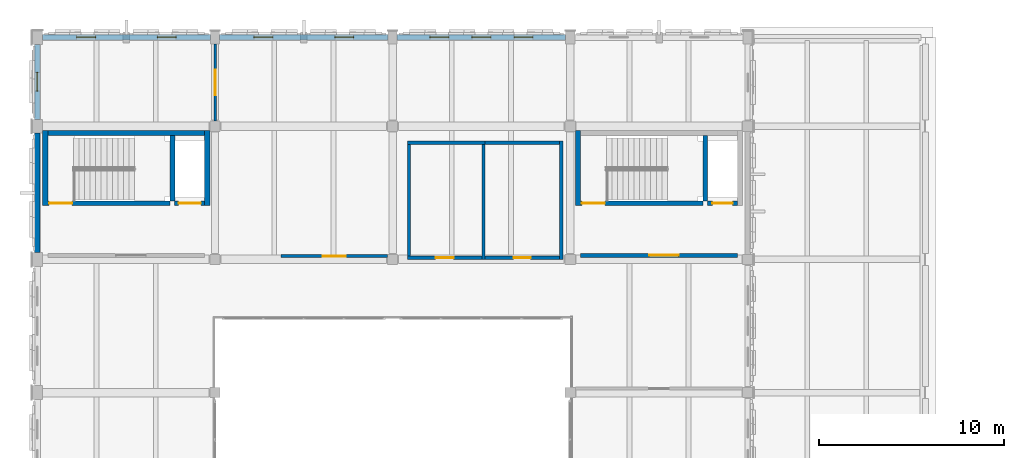
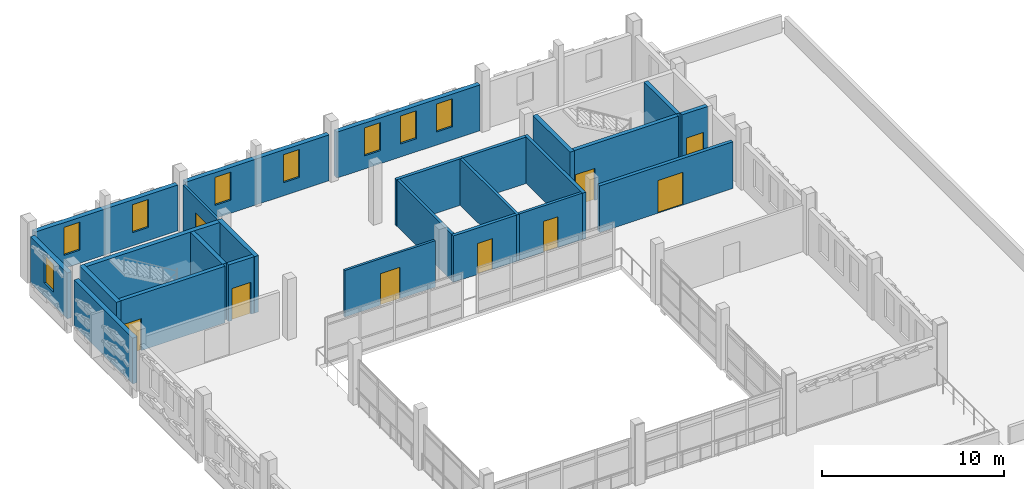
# One storey, part 38 of 50: 25 walls, 9 doors, 8 windows, 17 openings.
"""IFC4 building model written with IfcOpenShell, lengths in metres."""

import ifcopenshell
import ifcopenshell.guid

model = None  # the IFC model being written
_history = None  # IfcOwnerHistory: only IFC2X3 demands one
_inside = {}  # id of a spatial element -> (the spatial element, [elements in it])
_under = {}  # id of a project, library or spatial element -> (it, [spatial elements below it])
_declared = {}  # id of a project -> (the project, [libraries it declares])
_typed = {}  # id of a type object -> (the type object, [elements of that type])
_made_of = {}  # id of a material, layer set ... -> (it, [elements and type objects made of it])


def new_model(schema):
    """Start an empty IFC model of exactly this schema.

    Asked for "IFC4X3", IfcOpenShell would pick the latest addendum, in which some entities
    have other attributes; the version numbers below select the first issue.
    IFC2X3 requires an IfcOwnerHistory on every rooted entity: one is made here for all.
    """
    global model, _history
    if schema == "IFC4X3":
        model = ifcopenshell.file(schema_version=(4, 3, 0, 0))
    else:
        model = ifcopenshell.file(schema=schema)
    _inside.clear()
    _under.clear()
    _declared.clear()
    _typed.clear()
    _made_of.clear()
    _history = None
    if model.schema == "IFC2X3":
        org = make("IfcOrganization", Name="unknown")
        user = make(
            "IfcPersonAndOrganization",
            ThePerson=make("IfcPerson", FamilyName="unknown"),
            TheOrganization=org,
        )
        app = make(
            "IfcApplication",
            ApplicationDeveloper=org,
            Version="unknown",
            ApplicationFullName="unknown",
            ApplicationIdentifier="unknown",
        )
        _history = make(
            "IfcOwnerHistory",
            OwningUser=user,
            OwningApplication=app,
            ChangeAction="ADDED",
            CreationDate=0,
        )
    return model


def make(cls, **values):
    """One entity of the class cls with the attributes given. An attribute that is None is left unset."""
    return model.create_entity(
        cls, **{name: value for name, value in values.items() if value is not None}
    )


def rooted(cls, **values):
    """An entity with a GlobalId (a new one), such as an element, a storey or a relation."""
    return make(cls, GlobalId=ifcopenshell.guid.new(), OwnerHistory=_history, **values)


def si_unit(unit_type, name, prefix=None):
    """IfcSIUnit, for example si_unit("LENGTHUNIT", "METRE", prefix="MILLI")."""
    return make("IfcSIUnit", UnitType=unit_type, Prefix=prefix, Name=name)


def assignment(units):
    """IfcUnitAssignment: the units of a project."""
    return None if units is None else make("IfcUnitAssignment", Units=units)


def point(xyz):
    """IfcCartesianPoint."""
    return None if xyz is None else make("IfcCartesianPoint", Coordinates=xyz)


def direction(xyz):
    """IfcDirection."""
    return None if xyz is None else make("IfcDirection", DirectionRatios=xyz)


def frame(location, z_axis=None, x_axis=None):
    """IfcAxis2Placement3D, a coordinate frame: its origin and axes. An axis left out is left unset."""
    return make(
        "IfcAxis2Placement3D",
        Location=point(location),
        Axis=direction(z_axis),
        RefDirection=direction(x_axis),
    )


def frame_2d(location, x_axis=None):
    """IfcAxis2Placement2D, a coordinate frame in the plane: its origin and x axis."""
    return make(
        "IfcAxis2Placement2D", Location=point(location), RefDirection=direction(x_axis)
    )


def origin():
    """The frame at (0, 0, 0) with its axes left unset."""
    return frame((0.0, 0.0, 0.0))


def place(relative_to, where):
    """IfcLocalPlacement: puts the frame where relative to a parent placement (None: the world)."""
    return make(
        "IfcLocalPlacement", PlacementRelTo=relative_to, RelativePlacement=where
    )


def context(
    kind, dimensions, precision=None, world=None, true_north=None, identifier=None
):
    """IfcGeometricRepresentationContext, for example the 3D "Model" context."""
    return make(
        "IfcGeometricRepresentationContext",
        ContextIdentifier=identifier,
        ContextType=kind,
        CoordinateSpaceDimension=dimensions,
        Precision=precision,
        WorldCoordinateSystem=world,
        TrueNorth=true_north,
    )


def subcontext(parent, identifier, kind, view, scale=None):
    """IfcGeometricRepresentationSubContext, for example "Body" below "Model"."""
    return make(
        "IfcGeometricRepresentationSubContext",
        ContextIdentifier=identifier,
        ContextType=kind,
        ParentContext=parent,
        TargetScale=scale,
        TargetView=view,
    )


def project(units=None, contexts=None):
    """IfcProject with its units and contexts."""
    return rooted(
        "IfcProject",
        Name="project",
        RepresentationContexts=contexts,
        UnitsInContext=assignment(units),
    )


def spatial(cls, under=None, at=None, **own):
    """A site, building, storey or space (cls), placed at a placement, below another one or the project."""
    s = rooted(cls, ObjectPlacement=at, **own)
    if under is not None:
        _under.setdefault(under.id(), (under, []))[1].append(s)
    return s


def profile(cls, at=None, kind="AREA", **sizes):
    """A parametric profile (cls). Its sizes go by their IFC names, for example OverallWidth=200.0."""
    return make(cls, ProfileType=kind, Position=at, **sizes)


def rectangle(**sizes):
    """IfcRectangleProfileDef."""
    return profile("IfcRectangleProfileDef", **sizes)


def extrude(swept, where, along, depth):
    """IfcExtrudedAreaSolid: the profile swept, set in the frame where, extruded along a direction by depth."""
    return make(
        "IfcExtrudedAreaSolid",
        SweptArea=swept,
        Position=where,
        ExtrudedDirection=direction(along),
        Depth=depth,
    )


def shape(context_of_items, identifier, shape_type, items):
    """IfcShapeRepresentation: the items that make up one representation, for example the "Body"."""
    return make(
        "IfcShapeRepresentation",
        ContextOfItems=context_of_items,
        RepresentationIdentifier=identifier,
        RepresentationType=shape_type,
        Items=items,
    )


def material(Name=None, Category=None):
    """IfcMaterial."""
    return make("IfcMaterial", Name=Name, Category=Category)


def layer(
    of_material, thickness, ventilated=None, Name=None, Category=None, Priority=None
):
    """IfcMaterialLayer: one layer of a wall or slab, of a material (None: an air gap)."""
    return make(
        "IfcMaterialLayer",
        Material=of_material,
        LayerThickness=thickness,
        IsVentilated=ventilated,
        Name=Name,
        Category=Category,
        Priority=Priority,
    )


def layer_set(layers, Name=None):
    """IfcMaterialLayerSet."""
    return make("IfcMaterialLayerSet", MaterialLayers=layers, LayerSetName=Name)


def made_of(thing, what):
    """Note that an element or type object is made of a material, layer set ...; save() writes the relation."""
    if what is not None:
        _made_of.setdefault(what.id(), (what, []))[1].append(thing)
    return thing


def type_object(cls, material=None, **own):
    """A type object (cls), such as IfcWallType, which elements share."""
    return made_of(rooted(cls, **own), material)


def element(
    cls,
    number,
    at=None,
    inside=None,
    cuts=None,
    type_object=None,
    material=None,
    context=None,
    identifier="Body",
    shape_type=None,
    held_by="IfcProductDefinitionShape",
    body=None,
    shapes=None,
    **own,
):
    """One element of the class cls, such as IfcWall. Its Tag is "e" and its number.

    at: its placement. inside: the storey or other place that contains it. cuts: it is an
    opening in that element (IfcRelVoidsElement). A single representation is given by context,
    identifier, shape_type and body (its items); several are given by shapes. held_by: the class
    of the entity that holds the representations. save() writes the other relations.
    """
    e = rooted(cls, Tag="e%d" % number, ObjectPlacement=at, **own)
    if body is not None:
        shapes = [shape(context, identifier, shape_type, body)]
    if shapes is not None:
        e.Representation = make(held_by, Representations=shapes)
    if inside is not None:
        _inside.setdefault(inside.id(), (inside, []))[1].append(e)
    if cuts is not None:
        rooted(
            "IfcRelVoidsElement", RelatingBuildingElement=cuts, RelatedOpeningElement=e
        )
    if type_object is not None:
        _typed.setdefault(type_object.id(), (type_object, []))[1].append(e)
    return made_of(e, material)


def fill(opening, filler):
    """IfcRelFillsElement: the door or window that sits in an opening."""
    return rooted(
        "IfcRelFillsElement",
        RelatingOpeningElement=opening,
        RelatedBuildingElement=filler,
    )


def aggregate(whole, parts):
    """IfcRelAggregates: a whole, such as a stair, and the parts it consists of."""
    return rooted("IfcRelAggregates", RelatingObject=whole, RelatedObjects=parts)


def save(model, path):
    """Write the relations noted so far, then the file.

    IfcRelAggregates (storeys below a building ...), IfcRelContainedInSpatialStructure (elements
    in a storey), IfcRelDefinesByType, IfcRelAssociatesMaterial and IfcRelDeclares: one each for
    every whole, place, type object, material and project.
    """
    for whole, parts in _under.values():
        aggregate(whole, parts)
    for where, things in _inside.values():
        rooted(
            "IfcRelContainedInSpatialStructure",
            RelatedElements=things,
            RelatingStructure=where,
        )
    for kind, things in _typed.values():
        rooted("IfcRelDefinesByType", RelatedObjects=things, RelatingType=kind)
    for what, things in _made_of.values():
        rooted("IfcRelAssociatesMaterial", RelatedObjects=things, RelatingMaterial=what)
    for by, libraries in _declared.values():
        rooted("IfcRelDeclares", RelatingContext=by, RelatedDefinitions=libraries)
    model.write(path)


model = new_model("IFC4")

# Units and contexts
model_context = context("Model", 3, precision=1e-05, world=origin(), true_north=direction((0.0, 1.0)))
body_context = subcontext(model_context, "Body", "Model", "MODEL_VIEW")
ifc_project = project(units=[si_unit("LENGTHUNIT", "METRE"), si_unit("AREAUNIT", "SQUARE_METRE"), si_unit("VOLUMEUNIT", "CUBIC_METRE"), si_unit("PLANEANGLEUNIT", "RADIAN"), si_unit("MASSUNIT", "GRAM", prefix="KILO")], contexts=[model_context])

# Site, building, storey
site_placement = place(None, origin())
site = spatial("IfcSite", under=ifc_project, at=site_placement, CompositionType="ELEMENT")
building_placement = place(site_placement, origin())
building = spatial("IfcBuilding", under=site, at=building_placement, Name="Asteropetra Specialist Clinic", CompositionType="ELEMENT")
storey_placement = place(building_placement, frame((0.0, 0.0, 16.659912109375)))
storey = spatial("IfcBuildingStorey", under=building, at=storey_placement, Name="L04", CompositionType="ELEMENT", Elevation=16.659912109375)

# Wall, openings, windows
ifc_material_1 = material(Name="Chevron ivory", Category="masonry")
ifc_layer_1 = layer(ifc_material_1, 0.2900390625)
ifc_layer_set_1 = layer_set([ifc_layer_1], Name="Chevron ivory")
wall_type_1 = type_object("IfcWallType", Name="EW-CHEV-TER-290", PredefinedType="SOLIDWALL", material=ifc_layer_set_1)
wall_1_placement = place(storey_placement, frame((9.35009765625, 110.39990234375, 0.0), z_axis=(0.0, 0.0, 1.0), x_axis=(-1.0, 0.0, 0.0)))
wall_1 = element("IfcWall", 1, at=wall_1_placement, inside=storey, type_object=wall_type_1, Name="Exterior Wall EW-0128", PredefinedType="SOLIDWALL", context=body_context, shape_type="SweptSolid", body=[
    extrude(rectangle(XDim=9.0751953125, YDim=0.2900390625, at=frame_2d((4.53759765625, 0.0))), origin(), (0.0, 0.0, 1.0), 3.080078125),
])
opening_1_placement = place(wall_1_placement, frame((1.849609375, 0.0, 0.8798828125)))
opening_1 = element("IfcOpeningElement", 2, at=opening_1_placement, cuts=wall_1, Name="Opening W-0058", PredefinedType="OPENING", context=body_context, shape_type="SweptSolid", body=[
    extrude(rectangle(XDim=1.02001953125, YDim=1.8798828125, at=frame_2d((0.510009765625, 0.93994140625))), frame((0.0, 0.155029296875, 0.0), z_axis=(0.0, -1.0, 0.0), x_axis=(1.0, 0.0, 0.0)), (0.0, 0.0, 1.0), 0.31005859375),
])
opening_2_placement = place(wall_1_placement, frame((6.20556640625, 0.0, 0.8798828125)))
opening_2 = element("IfcOpeningElement", 3, at=opening_2_placement, cuts=wall_1, Name="Opening W-0059", PredefinedType="OPENING", context=body_context, shape_type="SweptSolid", body=[
    extrude(rectangle(XDim=1.02001953125, YDim=1.8798828125, at=frame_2d((0.510009765625, 0.93994140625))), frame((0.0, 0.155029296875, 0.0), z_axis=(0.0, -1.0, 0.0), x_axis=(1.0, 0.0, 0.0)), (0.0, 0.0, 1.0), 0.31005859375),
])
ifc_material_2 = material(Name="Thermally broken bronze aluminium and low-E glass", Category="aluminium")
window_type = type_object("IfcWindowType", Name="WIN-T31", PartitioningType="SINGLE_PANEL", PredefinedType="WINDOW", material=ifc_material_2)
window_1_placement = place(opening_1_placement, origin())
window_1 = element("IfcWindow", 4, at=window_1_placement, inside=storey, type_object=window_type, Name="Window W-0058", OverallHeight=1.8798828125, OverallWidth=1.02001953125, PartitioningType="SINGLE_PANEL", PredefinedType="WINDOW", context=body_context, shape_type="SweptSolid", body=[
    extrude(rectangle(XDim=1.02001953125, YDim=1.8798828125, at=frame_2d((0.510009765625, 0.93994140625))), frame((0.0, 0.030029296875, 0.0), z_axis=(0.0, -1.0, 0.0), x_axis=(1.0, 0.0, 0.0)), (0.0, 0.0, 1.0), 0.06005859375),
])
fill(opening_1, window_1)
window_2_placement = place(opening_2_placement, origin())
window_2 = element("IfcWindow", 5, at=window_2_placement, inside=storey, type_object=window_type, Name="Window W-0059", OverallHeight=1.8798828125, OverallWidth=1.02001953125, PartitioningType="SINGLE_PANEL", PredefinedType="WINDOW", context=body_context, shape_type="SweptSolid", body=[
    extrude(rectangle(XDim=1.02001953125, YDim=1.8798828125, at=frame_2d((0.510009765625, 0.93994140625))), frame((0.0, 0.030029296875, 0.0), z_axis=(0.0, -1.0, 0.0), x_axis=(1.0, 0.0, 0.0)), (0.0, 0.0, 1.0), 0.06005859375),
])
fill(opening_2, window_2)

wall_2_placement = place(storey_placement, frame((18.949951171875, 110.39990234375, 0.0), z_axis=(0.0, 0.0, 1.0), x_axis=(-1.0, 0.0, 0.0)))
wall_2 = element("IfcWall", 6, at=wall_2_placement, inside=storey, type_object=wall_type_1, Name="Exterior Wall EW-0129", PredefinedType="SOLIDWALL", context=body_context, shape_type="SweptSolid", body=[
    extrude(rectangle(XDim=9.099853515625, YDim=0.2900390625, at=frame_2d((4.5498046875, 0.0))), origin(), (0.0, 0.0, 1.0), 3.080078125),
])
opening_3_placement = place(wall_2_placement, frame((1.85595703125, 0.0, 0.8798828125)))
opening_3 = element("IfcOpeningElement", 7, at=opening_3_placement, cuts=wall_2, Name="Opening W-0060", PredefinedType="OPENING", context=body_context, shape_type="SweptSolid", body=[
    extrude(rectangle(XDim=1.02001953125, YDim=1.8798828125, at=frame_2d((0.510009765625, 0.93994140625))), frame((0.0, 0.155029296875, 0.0), z_axis=(0.0, -1.0, 0.0), x_axis=(1.0, 0.0, 0.0)), (0.0, 0.0, 1.0), 0.31005859375),
])
opening_4_placement = place(wall_2_placement, frame((6.22412109375, 0.0, 0.8798828125)))
opening_4 = element("IfcOpeningElement", 8, at=opening_4_placement, cuts=wall_2, Name="Opening W-0061", PredefinedType="OPENING", context=body_context, shape_type="SweptSolid", body=[
    extrude(rectangle(XDim=1.02001953125, YDim=1.8798828125, at=frame_2d((0.510009765625, 0.93994140625))), frame((0.0, 0.155029296875, 0.0), z_axis=(0.0, -1.0, 0.0), x_axis=(1.0, 0.0, 0.0)), (0.0, 0.0, 1.0), 0.31005859375),
])
window_3_placement = place(opening_3_placement, origin())
window_3 = element("IfcWindow", 9, at=window_3_placement, inside=storey, type_object=window_type, Name="Window W-0060", OverallHeight=1.8798828125, OverallWidth=1.02001953125, PartitioningType="SINGLE_PANEL", PredefinedType="WINDOW", context=body_context, shape_type="SweptSolid", body=[
    extrude(rectangle(XDim=1.02001953125, YDim=1.8798828125, at=frame_2d((0.510009765625, 0.93994140625))), frame((0.0, 0.030029296875, 0.0), z_axis=(0.0, -1.0, 0.0), x_axis=(1.0, 0.0, 0.0)), (0.0, 0.0, 1.0), 0.06005859375),
])
fill(opening_3, window_3)
window_4_placement = place(opening_4_placement, origin())
window_4 = element("IfcWindow", 10, at=window_4_placement, inside=storey, type_object=window_type, Name="Window W-0061", OverallHeight=1.8798828125, OverallWidth=1.02001953125, PartitioningType="SINGLE_PANEL", PredefinedType="WINDOW", context=body_context, shape_type="SweptSolid", body=[
    extrude(rectangle(XDim=1.02001953125, YDim=1.8798828125, at=frame_2d((0.510009765625, 0.93994140625))), frame((0.0, 0.030029296875, 0.0), z_axis=(0.0, -1.0, 0.0), x_axis=(1.0, 0.0, 0.0)), (0.0, 0.0, 1.0), 0.06005859375),
])
fill(opening_4, window_4)

wall_3_placement = place(storey_placement, frame((28.550048828125, 110.39990234375, 0.0), z_axis=(0.0, 0.0, 1.0), x_axis=(-1.0, 0.0, 0.0)))
wall_3 = element("IfcWall", 11, at=wall_3_placement, inside=storey, type_object=wall_type_1, Name="Exterior Wall EW-0130", PredefinedType="SOLIDWALL", context=body_context, shape_type="SweptSolid", body=[
    extrude(rectangle(XDim=9.10009765625, YDim=0.2900390625, at=frame_2d((4.550048828125, 0.0))), origin(), (0.0, 0.0, 1.0), 3.080078125),
])
opening_5_placement = place(wall_3_placement, frame((1.764892578125, 0.0, 0.8798828125)))
opening_5 = element("IfcOpeningElement", 12, at=opening_5_placement, cuts=wall_3, Name="Opening W-0062", PredefinedType="OPENING", context=body_context, shape_type="SweptSolid", body=[
    extrude(rectangle(XDim=1.02001953125, YDim=1.8798828125, at=frame_2d((0.510009765625, 0.93994140625))), frame((0.0, 0.155029296875, 0.0), z_axis=(0.0, -1.0, 0.0), x_axis=(1.0, 0.0, 0.0)), (0.0, 0.0, 1.0), 0.31005859375),
])
opening_6_placement = place(wall_3_placement, frame((4.0400390625, 0.0, 0.8798828125)))
opening_6 = element("IfcOpeningElement", 13, at=opening_6_placement, cuts=wall_3, Name="Opening W-0063", PredefinedType="OPENING", context=body_context, shape_type="SweptSolid", body=[
    extrude(rectangle(XDim=1.02001953125, YDim=1.8798828125, at=frame_2d((0.510009765625, 0.93994140625))), frame((0.0, 0.155029296875, 0.0), z_axis=(0.0, -1.0, 0.0), x_axis=(1.0, 0.0, 0.0)), (0.0, 0.0, 1.0), 0.31005859375),
])
opening_7_placement = place(wall_3_placement, frame((6.31494140625, 0.0, 0.8798828125)))
opening_7 = element("IfcOpeningElement", 14, at=opening_7_placement, cuts=wall_3, Name="Opening W-0064", PredefinedType="OPENING", context=body_context, shape_type="SweptSolid", body=[
    extrude(rectangle(XDim=1.02001953125, YDim=1.8798828125, at=frame_2d((0.510009765625, 0.93994140625))), frame((0.0, 0.155029296875, 0.0), z_axis=(0.0, -1.0, 0.0), x_axis=(1.0, 0.0, 0.0)), (0.0, 0.0, 1.0), 0.31005859375),
])
window_5_placement = place(opening_5_placement, origin())
window_5 = element("IfcWindow", 15, at=window_5_placement, inside=storey, type_object=window_type, Name="Window W-0062", OverallHeight=1.8798828125, OverallWidth=1.02001953125, PartitioningType="SINGLE_PANEL", PredefinedType="WINDOW", context=body_context, shape_type="SweptSolid", body=[
    extrude(rectangle(XDim=1.02001953125, YDim=1.8798828125, at=frame_2d((0.510009765625, 0.93994140625))), frame((0.0, 0.030029296875, 0.0), z_axis=(0.0, -1.0, 0.0), x_axis=(1.0, 0.0, 0.0)), (0.0, 0.0, 1.0), 0.06005859375),
])
fill(opening_5, window_5)
window_6_placement = place(opening_6_placement, origin())
window_6 = element("IfcWindow", 16, at=window_6_placement, inside=storey, type_object=window_type, Name="Window W-0063", OverallHeight=1.8798828125, OverallWidth=1.02001953125, PartitioningType="SINGLE_PANEL", PredefinedType="WINDOW", context=body_context, shape_type="SweptSolid", body=[
    extrude(rectangle(XDim=1.02001953125, YDim=1.8798828125, at=frame_2d((0.510009765625, 0.93994140625))), frame((0.0, 0.030029296875, 0.0), z_axis=(0.0, -1.0, 0.0), x_axis=(1.0, 0.0, 0.0)), (0.0, 0.0, 1.0), 0.06005859375),
])
fill(opening_6, window_6)
window_7_placement = place(opening_7_placement, origin())
window_7 = element("IfcWindow", 17, at=window_7_placement, inside=storey, type_object=window_type, Name="Window W-0064", OverallHeight=1.8798828125, OverallWidth=1.02001953125, PartitioningType="SINGLE_PANEL", PredefinedType="WINDOW", context=body_context, shape_type="SweptSolid", body=[
    extrude(rectangle(XDim=1.02001953125, YDim=1.8798828125, at=frame_2d((0.510009765625, 0.93994140625))), frame((0.0, 0.030029296875, 0.0), z_axis=(0.0, -1.0, 0.0), x_axis=(1.0, 0.0, 0.0)), (0.0, 0.0, 1.0), 0.06005859375),
])
fill(opening_7, window_7)

# Wall
wall_4_placement = place(storey_placement, frame((0.0, 105.22509765625, 0.0), z_axis=(0.0, 0.0, 1.0), x_axis=(0.0, -1.0, 0.0)))
element("IfcWall", 18, at=wall_4_placement, inside=storey, type_object=wall_type_1, Name="Exterior Wall EW-0139", PredefinedType="SOLIDWALL", context=body_context, shape_type="SweptSolid", body=[
    extrude(rectangle(XDim=6.4501953125, YDim=0.2900390625, at=frame_2d((3.22509765625, 0.0))), origin(), (0.0, 0.0, 1.0), 3.080078125),
])

# Wall, opening, window
wall_5_placement = place(storey_placement, frame((0.0, 110.02490234375, 0.0), z_axis=(0.0, 0.0, 1.0), x_axis=(0.0, -1.0, 0.0)))
wall_5 = element("IfcWall", 19, at=wall_5_placement, inside=storey, type_object=wall_type_1, Name="Exterior Wall EW-0141", PredefinedType="SOLIDWALL", context=body_context, shape_type="SweptSolid", body=[
    extrude(rectangle(XDim=4.0498046875, YDim=0.2900390625, at=frame_2d((2.02490234375, 0.0))), origin(), (0.0, 0.0, 1.0), 3.080078125),
])
opening_8_placement = place(wall_5_placement, frame((1.514892578125, 0.0, 0.8798828125)))
opening_8 = element("IfcOpeningElement", 20, at=opening_8_placement, cuts=wall_5, Name="Opening W-0085", PredefinedType="OPENING", context=body_context, shape_type="SweptSolid", body=[
    extrude(rectangle(XDim=1.02001953125, YDim=1.8798828125, at=frame_2d((0.510009765625, 0.93994140625))), frame((0.0, 0.155029296875, 0.0), z_axis=(0.0, -1.0, 0.0), x_axis=(1.0, 0.0, 0.0)), (0.0, 0.0, 1.0), 0.31005859375),
])
window_8_placement = place(opening_8_placement, origin())
window_8 = element("IfcWindow", 21, at=window_8_placement, inside=storey, type_object=window_type, Name="Window W-0085", OverallHeight=1.8798828125, OverallWidth=1.02001953125, PartitioningType="SINGLE_PANEL", PredefinedType="WINDOW", context=body_context, shape_type="SweptSolid", body=[
    extrude(rectangle(XDim=1.02001953125, YDim=1.8798828125, at=frame_2d((0.510009765625, 0.93994140625))), frame((0.0, 0.030029296875, 0.0), z_axis=(0.0, -1.0, 0.0), x_axis=(1.0, 0.0, 0.0)), (0.0, 0.0, 1.0), 0.06005859375),
])
fill(opening_8, window_8)

# Wall, opening, door
ifc_material_3 = material(Name="Fire-rated masonry and gypsum", Category="masonry")
ifc_layer_2 = layer(ifc_material_3, 0.219970703125)
ifc_layer_set_2 = layer_set([ifc_layer_2], Name="Fire-rated masonry and gypsum")
wall_type_2 = type_object("IfcWallType", Name="W-COMP-220", PredefinedType="PARTITIONING", material=ifc_layer_set_2)
wall_6_placement = place(storey_placement, frame((29.360107421875, 98.6201171875, 0.0), z_axis=(0.0, 0.0, 1.0), x_axis=(1.0, 0.0, 0.0)))
wall_6 = element("IfcWall", 22, at=wall_6_placement, inside=storey, type_object=wall_type_2, Name="Core Wall CW-C2-L04-LOB", PredefinedType="PARTITIONING", context=body_context, shape_type="SweptSolid", body=[
    extrude(rectangle(XDim=8.47998046875, YDim=0.219970703125, at=frame_2d((4.239990234375, 0.0))), origin(), (0.0, 0.0, 1.0), 3.130126953125),
])
opening_9_placement = place(wall_6_placement, frame((3.699951171875, 0.0, 0.0)))
opening_9 = element("IfcOpeningElement", 23, at=opening_9_placement, cuts=wall_6, Name="Opening FD-022", PredefinedType="OPENING", context=body_context, shape_type="SweptSolid", body=[
    extrude(rectangle(XDim=1.60009765625, YDim=2.199951171875, at=frame_2d((0.800048828125, 1.10009765625))), frame((0.0, 0.119873046875, 0.0), z_axis=(0.0, -1.0, 0.0), x_axis=(1.0, 0.0, 0.0)), (0.0, 0.0, 1.0), 0.239990234375),
])
ifc_material_4 = material(Name="Fire-rated steel and vision glass door", Category="steel")
door_type_1 = type_object("IfcDoorType", Name="FD-LOBBY-1600", OperationType="DOUBLE_DOOR_SINGLE_SWING", PredefinedType="DOOR", material=ifc_material_4)
door_1_placement = place(opening_9_placement, origin())
door_1 = element("IfcDoor", 24, at=door_1_placement, inside=storey, type_object=door_type_1, Name="Lobby Fire Door FD-022", OperationType="DOUBLE_DOOR_SINGLE_SWING", OverallHeight=2.199951171875, OverallWidth=1.60009765625, PredefinedType="DOOR", context=body_context, shape_type="SweptSolid", body=[
    extrude(rectangle(XDim=1.60009765625, YDim=2.199951171875, at=frame_2d((0.800048828125, 1.10009765625))), frame((0.0, 0.02490234375, 0.0), z_axis=(0.0, -1.0, 0.0), x_axis=(1.0, 0.0, 0.0)), (0.0, 0.0, 1.0), 0.050048828125),
])
fill(opening_9, door_1)

# Walls
ifc_material_5 = material(Name="Concrete C35/45", Category="concrete")
ifc_layer_3 = layer(ifc_material_5, 0.280029296875)
ifc_layer_set_3 = layer_set([ifc_layer_3], Name="Concrete C35/45")
wall_type_3 = type_object("IfcWallType", Name="W-CORE-280", PredefinedType="SHEAR", material=ifc_layer_set_3)
for number, where, z_axis, x_axis, name in (
    (25, (0.419921875, 101.300048828125, 0.0), (0.0, 0.0, 1.0), (0.0, 1.0, 0.0), "Core Wall CW-C1-L04-W"),
    (26, (9.179931640625, 101.300048828125, 0.0), (0.0, 0.0, 1.0), (0.0, 1.0, 0.0), "Core Wall CW-C1-L04-E"),
):
    element("IfcWall", number, at=place(storey_placement, frame(where, z_axis=z_axis, x_axis=x_axis)), inside=storey, type_object=wall_type_3, Name=name, PredefinedType="SHEAR", context=body_context, shape_type="SweptSolid", body=[
        extrude(rectangle(XDim=4.079833984375, YDim=0.280029296875, at=frame_2d((2.0400390625, 0.0))), origin(), (0.0, 0.0, 1.0), 3.800048828125),
    ])
wall_7_placement = place(storey_placement, frame((0.554931640625, 105.239990234375, 0.0), z_axis=(0.0, 0.0, 1.0), x_axis=(1.0, 0.0, 0.0)))
element("IfcWall", 27, at=wall_7_placement, inside=storey, type_object=wall_type_3, Name="Core Wall CW-C1-L04-BACK", PredefinedType="SHEAR", context=body_context, shape_type="SweptSolid", body=[
    extrude(rectangle(XDim=8.489990234375, YDim=0.280029296875, at=frame_2d((4.2451171875, 0.0))), origin(), (0.0, 0.0, 1.0), 3.800048828125),
])
wall_8_placement = place(storey_placement, frame((29.219970703125, 101.300048828125, 0.0), z_axis=(0.0, 0.0, 1.0), x_axis=(0.0, 1.0, 0.0)))
element("IfcWall", 28, at=wall_8_placement, inside=storey, type_object=wall_type_3, Name="Core Wall CW-C2-L04-W", PredefinedType="SHEAR", context=body_context, shape_type="SweptSolid", body=[
    extrude(rectangle(XDim=4.079833984375, YDim=0.280029296875, at=frame_2d((2.0400390625, 0.0))), origin(), (0.0, 0.0, 1.0), 3.800048828125),
])

# Wall, opening, door
ifc_material_6 = material(Name="Laboratory partition", Category="masonry")
ifc_layer_4 = layer(ifc_material_6, 0.139892578125)
ifc_layer_set_4 = layer_set([ifc_layer_4], Name="Laboratory partition")
wall_type_4 = type_object("IfcWallType", Name="W-PART-140", PredefinedType="PARTITIONING", material=ifc_layer_set_4)
wall_9_placement = place(storey_placement, frame((9.6201171875, 105.8798828125, 0.0), z_axis=(0.0, 0.0, 1.0), x_axis=(0.0, 1.0, 0.0)))
wall_9 = element("IfcWall", 29, at=wall_9_placement, inside=storey, type_object=wall_type_4, Name="Interior Partition PW-0172", PredefinedType="PARTITIONING", context=body_context, shape_type="SweptSolid", body=[
    extrude(rectangle(XDim=4.1650390625, YDim=0.139892578125, at=frame_2d((2.08251953125, 0.0))), origin(), (0.0, 0.0, 1.0), 3.1201171875),
])
opening_10_placement = place(wall_9_placement, frame((1.382568359375, 0.0, 0.0)))
opening_10 = element("IfcOpeningElement", 30, at=opening_10_placement, cuts=wall_9, Name="Opening ID-0112", PredefinedType="OPENING", context=body_context, shape_type="SweptSolid", body=[
    extrude(rectangle(XDim=1.39990234375, YDim=2.1201171875, at=frame_2d((0.699951171875, 1.06005859375))), frame((0.0, 0.079833984375, 0.0), z_axis=(0.0, -1.0, 0.0), x_axis=(1.0, 0.0, 0.0)), (0.0, 0.0, 1.0), 0.159912109375),
])
ifc_material_7 = material(Name="Antimicrobial laminate timber leaf in steel frame", Category="steel")
door_type_2 = type_object("IfcDoorType", Name="ID-WARD-1400", OperationType="NOTDEFINED", PredefinedType="DOOR", material=ifc_material_7)
door_2_placement = place(opening_10_placement, origin())
door_2 = element("IfcDoor", 31, at=door_2_placement, inside=storey, type_object=door_type_2, Name="Interior Door ID-0112", OperationType="SINGLE_SWING_LEFT", OverallHeight=2.1201171875, OverallWidth=1.39990234375, PredefinedType="DOOR", context=body_context, shape_type="SweptSolid", body=[
    extrude(rectangle(XDim=1.39990234375, YDim=2.1201171875, at=frame_2d((0.699951171875, 1.06005859375))), frame((0.0, 0.02490234375, 0.0), z_axis=(0.0, -1.0, 0.0), x_axis=(1.0, 0.0, 0.0)), (0.0, 0.0, 1.0), 0.050048828125),
])
fill(opening_10, door_2)

ifc_material_8 = material(Name="Clinical consulting partition", Category="masonry")
ifc_layer_5 = layer(ifc_material_8, 0.14990234375)
ifc_layer_set_5 = layer_set([ifc_layer_5], Name="Clinical consulting partition")
wall_type_5 = type_object("IfcWallType", Name="W-PART-150", PredefinedType="PARTITIONING", material=ifc_layer_set_5)
wall_10_placement = place(storey_placement, frame((13.179931640625, 98.580078125, 0.0), z_axis=(0.0, 0.0, 1.0), x_axis=(1.0, 0.0, 0.0)))
wall_10 = element("IfcWall", 32, at=wall_10_placement, inside=storey, type_object=wall_type_5, Name="Interior Partition PW-0171", PredefinedType="PARTITIONING", context=body_context, shape_type="SweptSolid", body=[
    extrude(rectangle(XDim=5.739990234375, YDim=0.14990234375, at=frame_2d((2.8701171875, 0.0))), origin(), (0.0, 0.0, 1.0), 3.1201171875),
])
opening_11_placement = place(wall_10_placement, frame((2.2451171875, 0.0, 0.0)))
opening_11 = element("IfcOpeningElement", 33, at=opening_11_placement, cuts=wall_10, Name="Opening ID-0111", PredefinedType="OPENING", context=body_context, shape_type="SweptSolid", body=[
    extrude(rectangle(XDim=1.25, YDim=2.1201171875, at=frame_2d((0.625, 1.06005859375))), frame((0.0, 0.0849609375, 0.0), z_axis=(0.0, -1.0, 0.0), x_axis=(1.0, 0.0, 0.0)), (0.0, 0.0, 1.0), 0.169921875),
])
ifc_material_9 = material(Name="Antimicrobial laminate timber leaf in steel frame", Category="steel")
door_type_3 = type_object("IfcDoorType", Name="ID-SEMIN-1250", OperationType="NOTDEFINED", PredefinedType="DOOR", material=ifc_material_9)
door_3_placement = place(opening_11_placement, origin())
door_3 = element("IfcDoor", 34, at=door_3_placement, inside=storey, type_object=door_type_3, Name="Interior Door ID-0111", OperationType="SINGLE_SWING_RIGHT", OverallHeight=2.1201171875, OverallWidth=1.25, PredefinedType="DOOR", context=body_context, shape_type="SweptSolid", body=[
    extrude(rectangle(XDim=1.25, YDim=2.1201171875, at=frame_2d((0.625, 1.06005859375))), frame((0.0, 0.02490234375, 0.0), z_axis=(0.0, -1.0, 0.0), x_axis=(1.0, 0.0, 0.0)), (0.0, 0.0, 1.0), 0.050048828125),
])
fill(opening_11, door_3)

# Walls
ifc_material_10 = material(Name="En-suite plumbing wall", Category="masonry")
ifc_layer_6 = layer(ifc_material_10, 0.169921875)
ifc_layer_set_6 = layer_set([ifc_layer_6], Name="En-suite plumbing wall")
wall_type_6 = type_object("IfcWallType", Name="W-PLUMB-170", PredefinedType="PLUMBINGWALL", material=ifc_layer_set_6)
wall_11_placement = place(storey_placement, frame((24.110107421875, 98.39501953125, 0.0), z_axis=(0.0, 0.0, 1.0), x_axis=(0.0, 1.0, 0.0)))
element("IfcWall", 35, at=wall_11_placement, inside=storey, type_object=wall_type_6, Name="Interior Partition PW-0159", PredefinedType="PLUMBINGWALL", context=body_context, shape_type="SweptSolid", body=[
    extrude(rectangle(XDim=6.409912109375, YDim=0.169921875, at=frame_2d((3.205078125, 0.0))), origin(), (0.0, 0.0, 1.0), 3.1201171875),
])
wall_12_placement = place(storey_placement, frame((20.090087890625, 98.592041015625, 0.0), z_axis=(0.0, 0.0, 1.0), x_axis=(0.0, 1.0, 0.0)))
element("IfcWall", 36, at=wall_12_placement, inside=storey, type_object=wall_type_6, Name="Interior Partition PW-0161", PredefinedType="PLUMBINGWALL", context=body_context, shape_type="SweptSolid", body=[
    extrude(rectangle(XDim=6.015869140625, YDim=0.169921875, at=frame_2d((3.0078125, 0.0))), origin(), (0.0, 0.0, 1.0), 3.1201171875),
])

# Wall, opening, door
wall_13_placement = place(storey_placement, frame((24.197021484375, 98.489990234375, 0.0), z_axis=(0.0, 0.0, 1.0), x_axis=(1.0, 0.0, 0.0)))
wall_13 = element("IfcWall", 37, at=wall_13_placement, inside=storey, type_object=wall_type_6, Name="Interior Partition PW-0163", PredefinedType="PLUMBINGWALL", context=body_context, shape_type="SweptSolid", body=[
    extrude(rectangle(XDim=4.010986328125, YDim=0.169921875, at=frame_2d((2.00537109375, 0.0))), origin(), (0.0, 0.0, 1.0), 3.1201171875),
])
opening_12_placement = place(wall_13_placement, frame((1.54541015625, 0.0, 0.0)))
opening_12 = element("IfcOpeningElement", 38, at=opening_12_placement, cuts=wall_13, Name="Opening ID-0107", PredefinedType="OPENING", context=body_context, shape_type="SweptSolid", body=[
    extrude(rectangle(XDim=0.919921875, YDim=2.080078125, at=frame_2d((0.4599609375, 1.0400390625))), frame((0.0, 0.094970703125, 0.0), z_axis=(0.0, -1.0, 0.0), x_axis=(1.0, 0.0, 0.0)), (0.0, 0.0, 1.0), 0.18994140625),
])
ifc_material_11 = material(Name="Antimicrobial laminate timber leaf in steel frame", Category="steel")
door_type_4 = type_object("IfcDoorType", Name="ID-WC-0920", OperationType="NOTDEFINED", PredefinedType="DOOR", material=ifc_material_11)
door_4_placement = place(opening_12_placement, origin())
door_4 = element("IfcDoor", 39, at=door_4_placement, inside=storey, type_object=door_type_4, Name="Interior Door ID-0107", OperationType="SINGLE_SWING_LEFT", OverallHeight=2.080078125, OverallWidth=0.919921875, PredefinedType="DOOR", context=body_context, shape_type="SweptSolid", body=[
    extrude(rectangle(XDim=0.919921875, YDim=2.080078125, at=frame_2d((0.4599609375, 1.0400390625))), frame((0.0, 0.02490234375, 0.0), z_axis=(0.0, -1.0, 0.0), x_axis=(1.0, 0.0, 0.0)), (0.0, 0.0, 1.0), 0.050048828125),
])
fill(opening_12, door_4)

# Wall
ifc_material_12 = material(Name="Sanitary service-chase wall", Category="masonry")
ifc_layer_7 = layer(ifc_material_12, 0.199951171875)
ifc_layer_set_7 = layer_set([ifc_layer_7], Name="Sanitary service-chase wall")
wall_type_7 = type_object("IfcWallType", Name="W-PLUMB-200", PredefinedType="PLUMBINGWALL", material=ifc_layer_set_7)
wall_14_placement = place(storey_placement, frame((19.9951171875, 104.7099609375, 0.0), z_axis=(0.0, 0.0, 1.0), x_axis=(1.0, 0.0, 0.0)))
element("IfcWall", 40, at=wall_14_placement, inside=storey, type_object=wall_type_7, Name="Interior Partition PW-0158", PredefinedType="PLUMBINGWALL", context=body_context, shape_type="SweptSolid", body=[
    extrude(rectangle(XDim=4.2099609375, YDim=0.199951171875, at=frame_2d((2.10498046875, 0.0))), origin(), (0.0, 0.0, 1.0), 3.1201171875),
])

# Wall, opening, door
wall_15_placement = place(storey_placement, frame((19.9951171875, 98.489990234375, 0.0), z_axis=(0.0, 0.0, 1.0), x_axis=(1.0, 0.0, 0.0)))
wall_15 = element("IfcWall", 41, at=wall_15_placement, inside=storey, type_object=wall_type_7, Name="Interior Partition PW-0160", PredefinedType="PLUMBINGWALL", context=body_context, shape_type="SweptSolid", body=[
    extrude(rectangle(XDim=4.02783203125, YDim=0.199951171875, at=frame_2d((2.013916015625, 0.0))), origin(), (0.0, 0.0, 1.0), 3.1201171875),
])
opening_13_placement = place(wall_15_placement, frame((1.52392578125, 0.0, 0.0)))
opening_13 = element("IfcOpeningElement", 42, at=opening_13_placement, cuts=wall_15, Name="Opening ID-0106", PredefinedType="OPENING", context=body_context, shape_type="SweptSolid", body=[
    extrude(rectangle(XDim=0.97998046875, YDim=2.080078125, at=frame_2d((0.489990234375, 1.0400390625))), frame((0.0, 0.10986328125, 0.0), z_axis=(0.0, -1.0, 0.0), x_axis=(1.0, 0.0, 0.0)), (0.0, 0.0, 1.0), 0.219970703125),
])
ifc_material_13 = material(Name="Antimicrobial laminate timber leaf in steel frame", Category="steel")
door_type_5 = type_object("IfcDoorType", Name="ID-AWC-0980", OperationType="NOTDEFINED", PredefinedType="DOOR", material=ifc_material_13)
door_5_placement = place(opening_13_placement, origin())
door_5 = element("IfcDoor", 43, at=door_5_placement, inside=storey, type_object=door_type_5, Name="Interior Door ID-0106", OperationType="SINGLE_SWING_RIGHT", OverallHeight=2.080078125, OverallWidth=0.97998046875, PredefinedType="DOOR", context=body_context, shape_type="SweptSolid", body=[
    extrude(rectangle(XDim=0.97998046875, YDim=2.080078125, at=frame_2d((0.489990234375, 1.0400390625))), frame((0.0, 0.02490234375, 0.0), z_axis=(0.0, -1.0, 0.0), x_axis=(1.0, 0.0, 0.0)), (0.0, 0.0, 1.0), 0.050048828125),
])
fill(opening_13, door_5)

# Walls
wall_16_placement = place(storey_placement, frame((28.31005859375, 98.39501953125, 0.0), z_axis=(0.0, 0.0, 1.0), x_axis=(0.0, 1.0, 0.0)))
element("IfcWall", 44, at=wall_16_placement, inside=storey, type_object=wall_type_7, Name="Interior Partition PW-0162", PredefinedType="PLUMBINGWALL", context=body_context, shape_type="SweptSolid", body=[
    extrude(rectangle(XDim=6.409912109375, YDim=0.199951171875, at=frame_2d((3.205078125, 0.0))), origin(), (0.0, 0.0, 1.0), 3.1201171875),
])
wall_17_placement = place(storey_placement, frame((24.197021484375, 104.7099609375, 0.0), z_axis=(0.0, 0.0, 1.0), x_axis=(1.0, 0.0, 0.0)))
element("IfcWall", 45, at=wall_17_placement, inside=storey, type_object=wall_type_7, Name="Interior Partition PW-0164", PredefinedType="PLUMBINGWALL", context=body_context, shape_type="SweptSolid", body=[
    extrude(rectangle(XDim=4.010986328125, YDim=0.199951171875, at=frame_2d((2.00537109375, 0.0))), origin(), (0.0, 0.0, 1.0), 3.1201171875),
])
ifc_material_14 = material(Name="Concrete C35/45", Category="concrete")
ifc_layer_8 = layer(ifc_material_14, 0.25)
ifc_layer_set_8 = layer_set([ifc_layer_8], Name="Concrete C35/45")
wall_type_8 = type_object("IfcWallType", Name="W-SHAFT-250", PredefinedType="SHEAR", material=ifc_layer_set_8)
wall_18_placement = place(storey_placement, frame((7.300048828125, 101.56005859375, 0.0), z_axis=(0.0, 0.0, 1.0), x_axis=(0.0, 1.0, 0.0)))
element("IfcWall", 46, at=wall_18_placement, inside=storey, type_object=wall_type_8, Name="Core Wall CW-C1-L04-MID", PredefinedType="SHEAR", context=body_context, shape_type="SweptSolid", body=[
    extrude(rectangle(XDim=3.5400390625, YDim=0.25, at=frame_2d((1.77001953125, 0.0))), origin(), (0.0, 0.0, 1.0), 3.800048828125),
])

# Wall, opening, door
wall_19_placement = place(storey_placement, frame((0.554931640625, 101.43994140625, 0.0), z_axis=(0.0, 0.0, 1.0), x_axis=(1.0, 0.0, 0.0)))
wall_19 = element("IfcWall", 47, at=wall_19_placement, inside=storey, type_object=wall_type_8, Name="Core Wall CW-C1-L04-STDIV", PredefinedType="SHEAR", context=body_context, shape_type="SweptSolid", body=[
    extrude(rectangle(XDim=6.625, YDim=0.25, at=frame_2d((3.3125, 0.0))), origin(), (0.0, 0.0, 1.0), 3.800048828125),
])
opening_14_placement = place(wall_19_placement, frame((0.080078125, 0.0, 0.0)))
opening_14 = element("IfcOpeningElement", 48, at=opening_14_placement, cuts=wall_19, Name="Opening FD-009", PredefinedType="OPENING", context=body_context, shape_type="SweptSolid", body=[
    extrude(rectangle(XDim=1.239990234375, YDim=2.14990234375, at=frame_2d((0.6201171875, 1.074951171875))), frame((0.0, 0.135009765625, 0.0), z_axis=(0.0, -1.0, 0.0), x_axis=(1.0, 0.0, 0.0)), (0.0, 0.0, 1.0), 0.27001953125),
])
ifc_material_15 = material(Name="Fire-rated steel and vision glass door", Category="steel")
door_type_6 = type_object("IfcDoorType", Name="FD-STAIR-1400", OperationType="DOUBLE_DOOR_SINGLE_SWING", PredefinedType="DOOR", material=ifc_material_15)
door_6_placement = place(opening_14_placement, origin())
door_6 = element("IfcDoor", 49, at=door_6_placement, inside=storey, type_object=door_type_6, Name="Stair Fire Door FD-009", OperationType="DOUBLE_DOOR_SINGLE_SWING", OverallHeight=2.14990234375, OverallWidth=1.239990234375, PredefinedType="DOOR", context=body_context, shape_type="SweptSolid", body=[
    extrude(rectangle(XDim=1.239990234375, YDim=2.14990234375, at=frame_2d((0.6201171875, 1.074951171875))), frame((0.0, 0.02490234375, 0.0), z_axis=(0.0, -1.0, 0.0), x_axis=(1.0, 0.0, 0.0)), (0.0, 0.0, 1.0), 0.050048828125),
])
fill(opening_14, door_6)

wall_20_placement = place(storey_placement, frame((7.419921875, 101.43994140625, 0.0), z_axis=(0.0, 0.0, 1.0), x_axis=(1.0, 0.0, 0.0)))
wall_20 = element("IfcWall", 50, at=wall_20_placement, inside=storey, type_object=wall_type_8, Name="Lift Shaft Front Wall CW-C1-L04-LFTF", PredefinedType="SHEAR", context=body_context, shape_type="SweptSolid", body=[
    extrude(rectangle(XDim=1.625, YDim=0.25, at=frame_2d((0.8125, 0.0))), origin(), (0.0, 0.0, 1.0), 3.800048828125),
])
opening_15_placement = place(wall_20_placement, frame((0.21240234375, 0.0, 0.0)))
opening_15 = element("IfcOpeningElement", 51, at=opening_15_placement, cuts=wall_20, Name="Opening LD-005", PredefinedType="OPENING", context=body_context, shape_type="SweptSolid", body=[
    extrude(rectangle(XDim=1.199951171875, YDim=2.14990234375, at=frame_2d((0.60009765625, 1.074951171875))), frame((0.0, 0.135009765625, 0.0), z_axis=(0.0, -1.0, 0.0), x_axis=(1.0, 0.0, 0.0)), (0.0, 0.0, 1.0), 0.27001953125),
])
ifc_material_16 = material(Name="Brushed stainless steel sliding lift landing door", Category="steel")
door_type_7 = type_object("IfcDoorType", Name="LD-FF-1200", OperationType="DOUBLE_DOOR_SLIDING", PredefinedType="DOOR", material=ifc_material_16)
door_7_placement = place(opening_15_placement, origin())
door_7 = element("IfcDoor", 52, at=door_7_placement, inside=storey, type_object=door_type_7, Name="Lift Landing Door LD-005", OperationType="DOUBLE_DOOR_SLIDING", OverallHeight=2.14990234375, OverallWidth=1.199951171875, PredefinedType="DOOR", context=body_context, shape_type="SweptSolid", body=[
    extrude(rectangle(XDim=1.199951171875, YDim=2.14990234375, at=frame_2d((0.60009765625, 1.074951171875))), frame((0.0, 0.02490234375, 0.0), z_axis=(0.0, -1.0, 0.0), x_axis=(1.0, 0.0, 0.0)), (0.0, 0.0, 1.0), 0.050048828125),
])
fill(opening_15, door_7)

# Wall
wall_21_placement = place(storey_placement, frame((36.10009765625, 101.56005859375, 0.0), z_axis=(0.0, 0.0, 1.0), x_axis=(0.0, 1.0, 0.0)))
element("IfcWall", 53, at=wall_21_placement, inside=storey, type_object=wall_type_8, Name="Core Wall CW-C2-L04-MID", PredefinedType="SHEAR", context=body_context, shape_type="SweptSolid", body=[
    extrude(rectangle(XDim=3.5400390625, YDim=0.25, at=frame_2d((1.77001953125, 0.0))), origin(), (0.0, 0.0, 1.0), 3.800048828125),
])

# Wall, opening, door
wall_22_placement = place(storey_placement, frame((29.35498046875, 101.43994140625, 0.0), z_axis=(0.0, 0.0, 1.0), x_axis=(1.0, 0.0, 0.0)))
wall_22 = element("IfcWall", 54, at=wall_22_placement, inside=storey, type_object=wall_type_8, Name="Core Wall CW-C2-L04-STDIV", PredefinedType="SHEAR", context=body_context, shape_type="SweptSolid", body=[
    extrude(rectangle(XDim=6.625, YDim=0.25, at=frame_2d((3.3125, 0.0))), origin(), (0.0, 0.0, 1.0), 3.800048828125),
])
opening_16_placement = place(wall_22_placement, frame((0.080078125, 0.0, 0.0)))
opening_16 = element("IfcOpeningElement", 55, at=opening_16_placement, cuts=wall_22, Name="Opening FD-021", PredefinedType="OPENING", context=body_context, shape_type="SweptSolid", body=[
    extrude(rectangle(XDim=1.239990234375, YDim=2.14990234375, at=frame_2d((0.6201171875, 1.074951171875))), frame((0.0, 0.135009765625, 0.0), z_axis=(0.0, -1.0, 0.0), x_axis=(1.0, 0.0, 0.0)), (0.0, 0.0, 1.0), 0.27001953125),
])
door_8_placement = place(opening_16_placement, origin())
door_8 = element("IfcDoor", 56, at=door_8_placement, inside=storey, type_object=door_type_6, Name="Stair Fire Door FD-021", OperationType="DOUBLE_DOOR_SINGLE_SWING", OverallHeight=2.14990234375, OverallWidth=1.239990234375, PredefinedType="DOOR", context=body_context, shape_type="SweptSolid", body=[
    extrude(rectangle(XDim=1.239990234375, YDim=2.14990234375, at=frame_2d((0.6201171875, 1.074951171875))), frame((0.0, 0.02490234375, 0.0), z_axis=(0.0, -1.0, 0.0), x_axis=(1.0, 0.0, 0.0)), (0.0, 0.0, 1.0), 0.050048828125),
])
fill(opening_16, door_8)

wall_23_placement = place(storey_placement, frame((36.219970703125, 101.43994140625, 0.0), z_axis=(0.0, 0.0, 1.0), x_axis=(1.0, 0.0, 0.0)))
wall_23 = element("IfcWall", 57, at=wall_23_placement, inside=storey, type_object=wall_type_8, Name="Lift Shaft Front Wall CW-C2-L04-LFTF", PredefinedType="SHEAR", context=body_context, shape_type="SweptSolid", body=[
    extrude(rectangle(XDim=1.625, YDim=0.25, at=frame_2d((0.8125, 0.0))), origin(), (0.0, 0.0, 1.0), 3.800048828125),
])
opening_17_placement = place(wall_23_placement, frame((0.262451171875, 0.0, 0.0)))
opening_17 = element("IfcOpeningElement", 58, at=opening_17_placement, cuts=wall_23, Name="Opening LD-011", PredefinedType="OPENING", context=body_context, shape_type="SweptSolid", body=[
    extrude(rectangle(XDim=1.10009765625, YDim=2.14990234375, at=frame_2d((0.550048828125, 1.074951171875))), frame((0.0, 0.135009765625, 0.0), z_axis=(0.0, -1.0, 0.0), x_axis=(1.0, 0.0, 0.0)), (0.0, 0.0, 1.0), 0.27001953125),
])
ifc_material_17 = material(Name="Brushed stainless steel sliding lift landing door", Category="steel")
door_type_8 = type_object("IfcDoorType", Name="LD-PASS-1100", OperationType="DOUBLE_DOOR_SLIDING", PredefinedType="DOOR", material=ifc_material_17)
door_9_placement = place(opening_17_placement, origin())
door_9 = element("IfcDoor", 59, at=door_9_placement, inside=storey, type_object=door_type_8, Name="Lift Landing Door LD-011", OperationType="DOUBLE_DOOR_SLIDING", OverallHeight=2.14990234375, OverallWidth=1.10009765625, PredefinedType="DOOR", context=body_context, shape_type="SweptSolid", body=[
    extrude(rectangle(XDim=1.10009765625, YDim=2.14990234375, at=frame_2d((0.550048828125, 1.074951171875))), frame((0.0, 0.02490234375, 0.0), z_axis=(0.0, -1.0, 0.0), x_axis=(1.0, 0.0, 0.0)), (0.0, 0.0, 1.0), 0.050048828125),
])
fill(opening_17, door_9)

save(model, "model.ifc")
